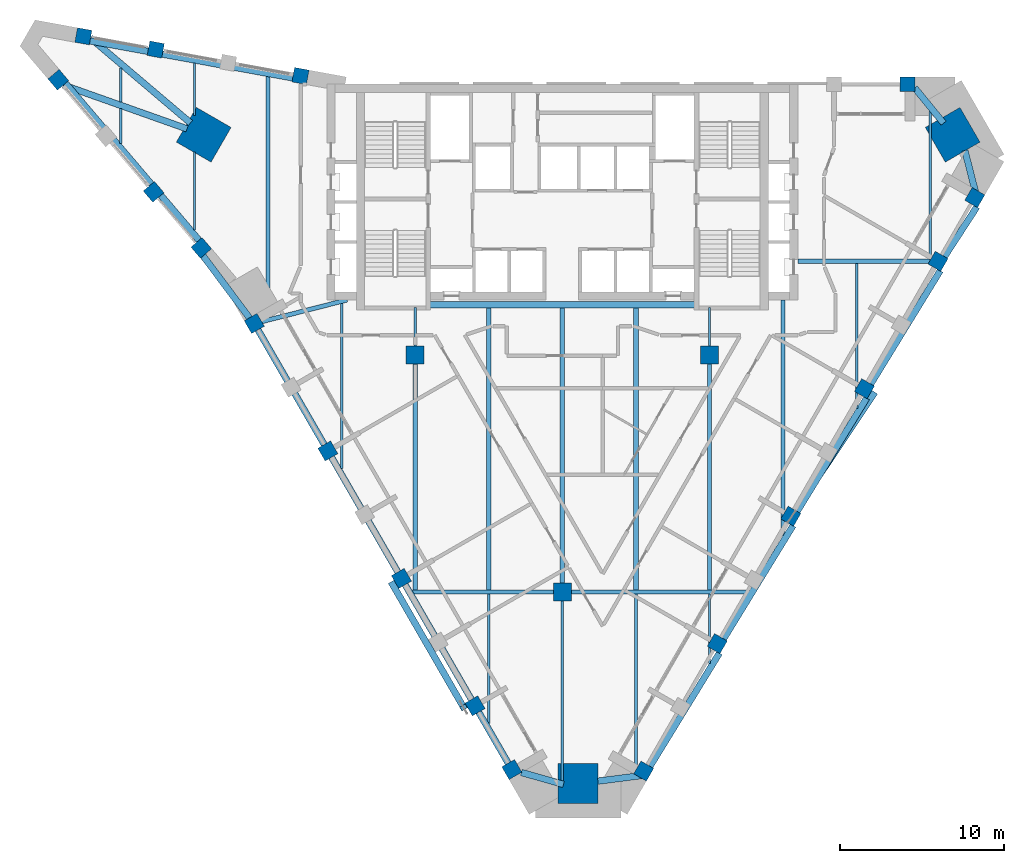
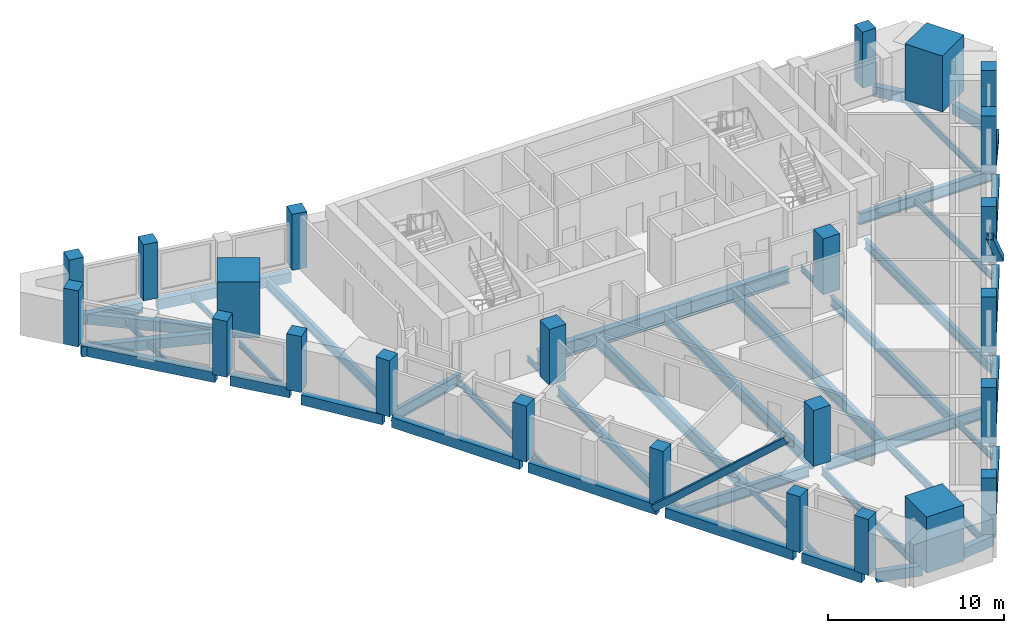
# One storey, part 1 of 9: 45 beams, 24 columns, 2 members.
"""IFC4 building model written with IfcOpenShell, lengths in metres."""

from ifc_helpers import new_model, si_unit, direction, frame, origin, origin_2d, place, context, subcontext, project, spatial, rectangle, hollow_rectangle, i_section, extrude, material, material_profile, profile_set, type_object, element, save


model = new_model("IFC4")

# Units and contexts
model_context = context("Model", 3, precision=1e-05, world=origin(), true_north=direction((0.0, 1.0)))
body_context = subcontext(model_context, "Body", "Model", "MODEL_VIEW")
ifc_project = project(units=[si_unit("LENGTHUNIT", "METRE"), si_unit("AREAUNIT", "SQUARE_METRE"), si_unit("VOLUMEUNIT", "CUBIC_METRE"), si_unit("PLANEANGLEUNIT", "RADIAN"), si_unit("MASSUNIT", "GRAM", prefix="KILO")], contexts=[model_context])

# Site, building, storey
site_placement = place(None, origin())
site = spatial("IfcSite", under=ifc_project, at=site_placement, CompositionType="ELEMENT")
building_placement = place(site_placement, origin())
building = spatial("IfcBuilding", under=site, at=building_placement, Name="Calabash Gate Tower", CompositionType="ELEMENT")
storey_placement = place(building_placement, frame((0.0, 0.0, 212.0)))
storey = spatial("IfcBuildingStorey", under=building, at=storey_placement, Name="L50", CompositionType="ELEMENT", Elevation=212.0)

# Columns
ifc_material_1 = material(Name="Concrete C60/75", Category="concrete")
ifc_material_profile_1 = material_profile(ifc_material_1, rectangle(XDim=1.10009765625, YDim=1.10009765625, at=origin_2d()))
ifc_profile_set_1 = profile_set([ifc_material_profile_1], Name="Concrete C60/75")
column_type_1 = type_object("IfcColumnType", Name="Interior column RC 1100x1100 Concrete C60/75", PredefinedType="COLUMN", material=ifc_profile_set_1)
for number, where, z_axis, x_axis, name in (
    (1, (-9.0, 2.5, 0.0), (0.0, 0.0, 1.0), (1.0, 0.0, 0.0), "Interior column L50 I0"),
    (2, (9.0, 2.5, 0.0), (0.0, 0.0, 1.0), (1.0, 0.0, 0.0), "Interior column L50 I1"),
    (3, (0.0, -12.0, 0.0), (0.0, 0.0, 1.0), (1.0, 0.0, 0.0), "Interior column L50 I2"),
):
    element("IfcColumn", number, at=place(storey_placement, frame(where, z_axis=z_axis, x_axis=x_axis)), inside=storey, type_object=column_type_1, Name=name, PredefinedType="COLUMN", context=body_context, shape_type="SweptSolid", body=[
        extrude(rectangle(XDim=1.10009765625, YDim=1.10009765625, at=origin_2d()), origin(), (0.0, 0.0, 1.0), 3.89990234375),
    ])
ifc_material_2 = material(Name="Concrete C70/85", Category="concrete")
ifc_material_profile_2 = material_profile(ifc_material_2, rectangle(XDim=2.449951171875, YDim=2.449951171875, at=origin_2d()))
ifc_profile_set_2 = profile_set([ifc_material_profile_2], Name="Concrete C70/85")
column_type_2 = type_object("IfcColumnType", Name="Mega column RC 2450x2450 Concrete C70/85", PredefinedType="COLUMN", material=ifc_profile_set_2)
for number, where, z_axis, x_axis, name in (
    (4, (-21.93310546875, 15.958984375, 0.0), (0.0, 0.0, 1.0), (0.866025386331, -0.50000003023, 0.0), "Mega column L50 NW"),
    (5, (23.868896484375, 15.958984375, 0.0), (0.0, 0.0, 1.0), (-0.866025386331, -0.50000003023, 0.0), "Mega column L50 NE"),
    (6, (0.968017578125, -23.70703125, 0.0), (0.0, 0.0, 1.0), (0.0, 1.0, 0.0), "Mega column L50 S"),
):
    element("IfcColumn", number, at=place(storey_placement, frame(where, z_axis=z_axis, x_axis=x_axis)), inside=storey, type_object=column_type_2, Name=name, PredefinedType="COLUMN", context=body_context, shape_type="SweptSolid", body=[
        extrude(rectangle(XDim=2.449951171875, YDim=2.449951171875, at=origin_2d()), origin(), (0.0, 0.0, 1.0), 3.89990234375),
    ])
ifc_material_3 = material(Name="Concrete C60/75", Category="concrete")
ifc_material_profile_3 = material_profile(ifc_material_3, rectangle(XDim=0.89990234375, YDim=0.89990234375, at=origin_2d()))
ifc_profile_set_3 = profile_set([ifc_material_profile_3], Name="Concrete C60/75")
column_type_3 = type_object("IfcColumnType", Name="Perimeter column RC 900x900 Concrete C60/75", PredefinedType="COLUMN", material=ifc_profile_set_3)
for number, where, z_axis, x_axis, name in (
    (7, (-18.840087890625, 4.4169921875, 0.0), (0.0, 0.0, 1.0), (0.499999984885, -0.866025412511, 0.0), "Perimeter column L50 P00"),
    (8, (-14.340087890625, -3.37890625, 0.0), (0.0, 0.0, 1.0), (0.499999984885, -0.866025412511, 0.0), "Perimeter column L50 P01"),
    (9, (-9.840087890625, -11.173095703125, 0.0), (0.0, 0.0, 1.0), (0.499999984885, -0.866025412511, 0.0), "Perimeter column L50 P02"),
    (10, (-5.340087890625, -18.967041015625, 0.0), (0.0, 0.0, 1.0), (0.499999984885, -0.866025412511, 0.0), "Perimeter column L50 P03"),
    (11, (-3.090087890625, -22.863037109375, 0.0), (0.0, 0.0, 1.0), (0.499999984885, -0.866025412511, 0.0), "Perimeter column L50 P25"),
    (12, (4.972900390625, -22.95703125, 0.0), (0.0, 0.0, 1.0), (0.5, 0.866025403784, 0.0), "Perimeter column L50 P08"),
    (13, (9.472900390625, -15.1630859375, 0.0), (0.0, 0.0, 1.0), (0.5, 0.866025403784, 0.0), "Perimeter column L50 P09"),
    (14, (13.972900390625, -7.368896484375, 0.0), (0.0, 0.0, 1.0), (0.5, 0.866025403784, 0.0), "Perimeter column L50 P10"),
    (15, (18.472900390625, 0.427001953125, 0.0), (0.0, 0.0, 1.0), (0.5, 0.866025403784, 0.0), "Perimeter column L50 P11"),
    (16, (22.972900390625, 8.218994140625, 0.0), (0.0, 0.0, 1.0), (0.5, 0.866025403784, 0.0), "Perimeter column L50 P12"),
    (17, (25.222900390625, 12.116943359375, 0.0), (0.0, 0.0, 1.0), (0.5, 0.866025403784, 0.0), "Perimeter column L50 P13"),
    (18, (21.111083984375, 19.052978515625, 0.0), (0.0, 0.0, 1.0), (-1.0, 0.0, 0.0), "Perimeter column L50 P24"),
    (19, (-16.012939453125, 19.551025390625, 0.0), (0.0, 0.0, 1.0), (-0.983669930074, 0.179981856499, 0.0), "Perimeter column L50 P31"),
    (20, (-24.865966796875, 21.1708984375, 0.0), (0.0, 0.0, 1.0), (-0.983669930074, 0.179981856499, 0.0), "Perimeter column L50 P32"),
    (21, (-29.29296875, 21.97998046875, 0.0), (0.0, 0.0, 1.0), (-0.983669930074, 0.179981856499, 0.0), "Perimeter column L50 P33"),
    (22, (-30.827880859375, 19.322021484375, 0.0), (0.0, 0.0, 1.0), (0.647703824985, -0.761892220133, 0.0), "Perimeter column L50 P34"),
    (23, (-24.998046875, 12.467041015625, 0.0), (0.0, 0.0, 1.0), (0.647703824985, -0.761892220133, 0.0), "Perimeter column L50 P20"),
    (24, (-22.083984375, 9.037109375, 0.0), (0.0, 0.0, 1.0), (0.647703824985, -0.761892220133, 0.0), "Perimeter column L50 P35"),
):
    element("IfcColumn", number, at=place(storey_placement, frame(where, z_axis=z_axis, x_axis=x_axis)), inside=storey, type_object=column_type_3, Name=name, PredefinedType="COLUMN", context=body_context, shape_type="SweptSolid", body=[
        extrude(rectangle(XDim=0.89990234375, YDim=0.89990234375, at=origin_2d()), origin(), (0.0, 0.0, 1.0), 3.89990234375),
    ])

# Beams
ifc_material_4 = material(Name="Concrete C50/60", Category="concrete")
ifc_material_profile_4 = material_profile(ifc_material_4, rectangle(XDim=0.39990234375, YDim=0.699951171875, at=origin_2d()))
ifc_profile_set_4 = profile_set([ifc_material_profile_4], Name="Concrete C50/60")
beam_type_1 = type_object("IfcBeamType", Name="Edge beam RC 400x700 Concrete C50/60", PredefinedType="BEAM", material=ifc_profile_set_4)
beam_1_placement = place(storey_placement, frame((-14.1279296875, -3.7470703125, -0.52001953125), z_axis=(0.500069781462, -0.86598511169, 0.0), x_axis=(0.86598511169, 0.500069781462, 0.0)))
element("IfcBeam", 25, at=beam_1_placement, inside=storey, type_object=beam_type_1, Name="Edge beam L50 1", PredefinedType="BEAM", context=body_context, shape_type="SweptSolid", body=[
    extrude(rectangle(XDim=0.39990234375, YDim=0.699951171875, at=origin_2d()), origin(), (0.0, 0.0, 1.0), 8.416748046875),
])
beam_2_placement = place(storey_placement, frame((-9.6279296875, -11.541015625, -0.52001953125), z_axis=(0.500006981563, -0.86602137294, 0.0), x_axis=(0.86602137294, 0.500006981563, 0.0)))
element("IfcBeam", 26, at=beam_2_placement, inside=storey, type_object=beam_type_1, Name="Edge beam L50 2", PredefinedType="BEAM", context=body_context, shape_type="SweptSolid", body=[
    extrude(rectangle(XDim=0.39990234375, YDim=0.699951171875, at=origin_2d()), origin(), (0.0, 0.0, 1.0), 8.41796875),
])
beam_3_placement = place(storey_placement, frame((-5.1279296875, -19.3330078125, -0.52001953125), z_axis=(0.499783563124, -0.866150327617, 0.0), x_axis=(0.866150327617, 0.499783563124, 0.0)))
element("IfcBeam", 27, at=beam_3_placement, inside=storey, type_object=beam_type_1, Name="Edge beam L50 3", PredefinedType="BEAM", context=body_context, shape_type="SweptSolid", body=[
    extrude(rectangle(XDim=0.39990234375, YDim=0.699951171875, at=origin_2d()), origin(), (0.0, 0.0, 1.0), 3.919677734375),
])
beam_4_placement = place(storey_placement, frame((-2.511962890625, -23.0390625, -0.52001953125), z_axis=(0.961954903089, -0.273208280299, 0.0), x_axis=(0.273208280299, 0.961954903089, 0.0)))
element("IfcBeam", 28, at=beam_4_placement, inside=storey, type_object=beam_type_1, Name="Edge beam L50 4", PredefinedType="BEAM", context=body_context, shape_type="SweptSolid", body=[
    extrude(rectangle(XDim=0.39990234375, YDim=0.699951171875, at=origin_2d()), origin(), (0.0, 0.0, 1.0), 2.686279296875),
])
beam_5_placement = place(storey_placement, frame((2.172119140625, -23.572998046875, -0.52001953125), z_axis=(0.991784485926, 0.127920027662, 0.0), x_axis=(-0.127920027662, 0.991784485926, 0.0)))
element("IfcBeam", 29, at=beam_5_placement, inside=storey, type_object=beam_type_1, Name="Edge beam L50 5", PredefinedType="BEAM", context=body_context, shape_type="SweptSolid", body=[
    extrude(rectangle(XDim=0.39990234375, YDim=0.699951171875, at=origin_2d()), origin(), (0.0, 0.0, 1.0), 2.86865234375),
])
beam_6_placement = place(storey_placement, frame((5.35009765625, -22.680908203125, -0.52001953125), z_axis=(0.522678714297, 0.852529742367, 0.0), x_axis=(-0.852529742367, 0.522678714297, 0.0)))
element("IfcBeam", 30, at=beam_6_placement, inside=storey, type_object=beam_type_1, Name="Edge beam L50 6", PredefinedType="BEAM", context=body_context, shape_type="SweptSolid", body=[
    extrude(rectangle(XDim=0.39990234375, YDim=0.699951171875, at=origin_2d()), origin(), (0.0, 0.0, 1.0), 8.146240234375),
])
for number, where, z_axis, x_axis, name in (
    (31, (9.85009765625, -14.886962890625, -0.52001953125), (0.522611947946, 0.85257067265, 0.0), (-0.85257067265, 0.522611947946, 0.0), "Edge beam L50 7"),
    (32, (14.35009765625, -7.093017578125, -0.52001953125), (0.522611947946, 0.85257067265, 0.0), (-0.85257067265, 0.522611947946, 0.0), "Edge beam L50 8"),
    (33, (18.85009765625, 0.700927734375, -0.52001953125), (0.522611947946, 0.85257067265, 0.0), (-0.85257067265, 0.522611947946, 0.0), "Edge beam L50 9"),
):
    element("IfcBeam", number, at=place(storey_placement, frame(where, z_axis=z_axis, x_axis=x_axis)), inside=storey, type_object=beam_type_1, Name=name, PredefinedType="BEAM", context=body_context, shape_type="SweptSolid", body=[
        extrude(rectangle(XDim=0.39990234375, YDim=0.699951171875, at=origin_2d()), origin(), (0.0, 0.0, 1.0), 8.147216796875),
    ])
beam_7_placement = place(storey_placement, frame((23.360107421875, 8.489990234375, -0.52001953125), z_axis=(0.544748454495, 0.838599499955, 0.0), x_axis=(-0.838599499955, 0.544748454495, 0.0)))
element("IfcBeam", 34, at=beam_7_placement, inside=storey, type_object=beam_type_1, Name="Edge beam L50 10", PredefinedType="BEAM", context=body_context, shape_type="SweptSolid", body=[
    extrude(rectangle(XDim=0.39990234375, YDim=0.699951171875, at=origin_2d()), origin(), (0.0, 0.0, 1.0), 3.64892578125),
])
beam_8_placement = place(storey_placement, frame((25.366943359375, 12.06396484375, -0.52001953125), z_axis=(-0.247878982629, 0.968791004279, 0.0), x_axis=(-0.968791004279, -0.247878982629, 0.0)))
element("IfcBeam", 35, at=beam_8_placement, inside=storey, type_object=beam_type_1, Name="Edge beam L50 11", PredefinedType="BEAM", context=body_context, shape_type="SweptSolid", body=[
    extrude(rectangle(XDim=0.39990234375, YDim=0.699951171875, at=origin_2d()), origin(), (0.0, 0.0, 1.0), 3.029541015625),
])
beam_9_placement = place(storey_placement, frame((23.31689453125, 16.6669921875, -0.52001953125), z_axis=(-0.633512825454, 0.7737321888, 0.0), x_axis=(-0.7737321888, -0.633512825454, 0.0)))
element("IfcBeam", 36, at=beam_9_placement, inside=storey, type_object=beam_type_1, Name="Edge beam L50 12", PredefinedType="BEAM", context=body_context, shape_type="SweptSolid", body=[
    extrude(rectangle(XDim=0.39990234375, YDim=0.699951171875, at=origin_2d()), origin(), (0.0, 0.0, 1.0), 2.80322265625),
])
beam_10_placement = place(storey_placement, frame((-16.491943359375, 19.43701171875, -0.52001953125), z_axis=(-0.983710376503, 0.179760660767, 0.0), x_axis=(-0.179760660767, -0.983710376503, 0.0)))
element("IfcBeam", 37, at=beam_10_placement, inside=storey, type_object=beam_type_1, Name="Edge beam L50 13", PredefinedType="BEAM", context=body_context, shape_type="SweptSolid", body=[
    extrude(rectangle(XDim=0.39990234375, YDim=0.699951171875, at=origin_2d()), origin(), (0.0, 0.0, 1.0), 8.099853515625),
])
beam_11_placement = place(storey_placement, frame((-25.343017578125, 21.056884765625, -0.52001953125), z_axis=(-0.983780846892, 0.179374594879, 0.0), x_axis=(-0.179374594879, -0.983780846892, 0.0)))
element("IfcBeam", 38, at=beam_11_placement, inside=storey, type_object=beam_type_1, Name="Edge beam L50 14", PredefinedType="BEAM", context=body_context, shape_type="SweptSolid", body=[
    extrude(rectangle(XDim=0.39990234375, YDim=0.699951171875, at=origin_2d()), origin(), (0.0, 0.0, 1.0), 3.601318359375),
])
beam_12_placement = place(storey_placement, frame((-28.8720703125, 21.885986328125, -0.52001953125), z_axis=(0.762422414558, -0.647079640987, 0.0), x_axis=(0.647079640987, 0.762422414558, 0.0)))
element("IfcBeam", 39, at=beam_12_placement, inside=storey, type_object=beam_type_1, Name="Edge beam L50 15", PredefinedType="BEAM", context=body_context, shape_type="SweptSolid", body=[
    extrude(rectangle(XDim=0.39990234375, YDim=0.699951171875, at=origin_2d()), origin(), (0.0, 0.0, 1.0), 8.0390625),
])
beam_13_placement = place(storey_placement, frame((-22.952880859375, 16.320068359375, -0.52001953125), z_axis=(-0.942585027274, 0.333966265299, 0.0), x_axis=(-0.333966265299, -0.942585027274, 0.0)))
element("IfcBeam", 40, at=beam_13_placement, inside=storey, type_object=beam_type_1, Name="Edge beam L50 16", PredefinedType="BEAM", context=body_context, shape_type="SweptSolid", body=[
    extrude(rectangle(XDim=0.39990234375, YDim=0.699951171875, at=origin_2d()), origin(), (0.0, 0.0, 1.0), 8.042724609375),
])
beam_14_placement = place(storey_placement, frame((-30.384033203125, 19.10888671875, -0.52001953125), z_axis=(0.647777896435, -0.761829243919, 0.0), x_axis=(0.761829243919, 0.647777896435, 0.0)))
element("IfcBeam", 41, at=beam_14_placement, inside=storey, type_object=beam_type_1, Name="Edge beam L50 17", PredefinedType="BEAM", context=body_context, shape_type="SweptSolid", body=[
    extrude(rectangle(XDim=0.39990234375, YDim=0.699951171875, at=origin_2d()), origin(), (0.0, 0.0, 1.0), 8.10009765625),
])
beam_15_placement = place(storey_placement, frame((-24.553955078125, 12.251953125, -0.52001953125), z_axis=(0.647579511056, -0.761997885076, 0.0), x_axis=(0.761997885076, 0.647579511056, 0.0)))
element("IfcBeam", 42, at=beam_15_placement, inside=storey, type_object=beam_type_1, Name="Edge beam L50 18", PredefinedType="BEAM", context=body_context, shape_type="SweptSolid", body=[
    extrude(rectangle(XDim=0.39990234375, YDim=0.699951171875, at=origin_2d()), origin(), (0.0, 0.0, 1.0), 3.599609375),
])
beam_16_placement = place(storey_placement, frame((-21.97900390625, 8.56396484375, -0.52001953125), z_axis=(0.598719792609, -0.800958556941, 0.0), x_axis=(0.800958556941, 0.598719792609, 0.0)))
element("IfcBeam", 43, at=beam_16_placement, inside=storey, type_object=beam_type_1, Name="Edge beam L50 19", PredefinedType="BEAM", context=body_context, shape_type="SweptSolid", body=[
    extrude(rectangle(XDim=0.39990234375, YDim=0.699951171875, at=origin_2d()), origin(), (0.0, 0.0, 1.0), 5.03759765625),
])
beam_17_placement = place(storey_placement, frame((-18.6279296875, 4.047119140625, -0.52001953125), z_axis=(0.50005722043, -0.865992365033, 0.0), x_axis=(0.865992365033, 0.50005722043, 0.0)))
element("IfcBeam", 44, at=beam_17_placement, inside=storey, type_object=beam_type_1, Name="Edge beam L50 20", PredefinedType="BEAM", context=body_context, shape_type="SweptSolid", body=[
    extrude(rectangle(XDim=0.39990234375, YDim=0.699951171875, at=origin_2d()), origin(), (0.0, 0.0, 1.0), 8.4169921875),
])
ifc_material_5 = material(Name="Steel ASTM A992 Gr50", Category="steel")
ifc_material_profile_5 = material_profile(ifc_material_5, i_section(OverallWidth=0.1396484375, OverallDepth=0.398681640625, WebThickness=0.00634765625, FlangeThickness=0.0087890625, FilletRadius=0.01025390625, at=origin_2d()))
ifc_profile_set_5 = profile_set([ifc_material_profile_5], Name="Steel ASTM A992 Gr50")
beam_type_2 = type_object("IfcBeamType", Name="Floor beam W16x26 ASTM A992 Gr50", PredefinedType="BEAM", material=ifc_profile_set_5)
beam_18_placement = place(storey_placement, frame((-27.0, 15.416015625, -0.368896484375), z_axis=(0.0, 1.0, 0.0), x_axis=(-1.0, 0.0, 0.0)))
element("IfcBeam", 45, at=beam_18_placement, inside=storey, type_object=beam_type_2, Name="Floor beam L50 1", PredefinedType="BEAM", context=body_context, shape_type="SweptSolid", body=[
    extrude(i_section(OverallWidth=0.1396484375, OverallDepth=0.398681640625, WebThickness=0.00634765625, FlangeThickness=0.0087890625, FilletRadius=0.01025390625, at=origin_2d()), origin(), (0.0, 0.0, 1.0), 2.136962890625),
])
beam_19_placement = place(storey_placement, frame((-27.0, 17.9541015625, -0.368896484375), z_axis=(0.0, 1.0, 0.0), x_axis=(-1.0, 0.0, 0.0)))
element("IfcBeam", 46, at=beam_19_placement, inside=storey, type_object=beam_type_2, Name="Floor beam L50 2", PredefinedType="BEAM", context=body_context, shape_type="SweptSolid", body=[
    extrude(i_section(OverallWidth=0.1396484375, OverallDepth=0.398681640625, WebThickness=0.00634765625, FlangeThickness=0.0087890625, FilletRadius=0.01025390625, at=origin_2d()), origin(), (0.0, 0.0, 1.0), 2.101806640625),
])
beam_20_placement = place(storey_placement, frame((-22.5, 10.1220703125, -0.368896484375), z_axis=(0.0, 1.0, 0.0), x_axis=(-1.0, 0.0, 0.0)))
element("IfcBeam", 47, at=beam_20_placement, inside=storey, type_object=beam_type_2, Name="Floor beam L50 3", PredefinedType="BEAM", context=body_context, shape_type="SweptSolid", body=[
    extrude(i_section(OverallWidth=0.1396484375, OverallDepth=0.398681640625, WebThickness=0.00634765625, FlangeThickness=0.0087890625, FilletRadius=0.01025390625, at=origin_2d()), origin(), (0.0, 0.0, 1.0), 4.77490234375),
])
beam_21_placement = place(storey_placement, frame((-22.5, 17.14697265625, -0.368896484375), z_axis=(0.0, 1.0, 0.0), x_axis=(-1.0, 0.0, 0.0)))
element("IfcBeam", 48, at=beam_21_placement, inside=storey, type_object=beam_type_2, Name="Floor beam L50 4", PredefinedType="BEAM", context=body_context, shape_type="SweptSolid", body=[
    extrude(i_section(OverallWidth=0.1396484375, OverallDepth=0.398681640625, WebThickness=0.00634765625, FlangeThickness=0.0087890625, FilletRadius=0.01025390625, at=origin_2d()), origin(), (0.0, 0.0, 1.0), 3.216064453125),
])
beam_22_placement = place(storey_placement, frame((-9.0, 3.050048828125, -0.368896484375), z_axis=(0.0, 1.0, 0.0), x_axis=(-1.0, 0.0, 0.0)))
element("IfcBeam", 49, at=beam_22_placement, inside=storey, type_object=beam_type_2, Name="Floor beam L50 8", PredefinedType="BEAM", context=body_context, shape_type="SweptSolid", body=[
    extrude(i_section(OverallWidth=0.1396484375, OverallDepth=0.398681640625, WebThickness=0.00634765625, FlangeThickness=0.0087890625, FilletRadius=0.01025390625, at=origin_2d()), origin(), (0.0, 0.0, 1.0), 2.35302734375),
])
beam_23_placement = place(storey_placement, frame((-4.5, -20.033935546875, -0.368896484375), z_axis=(0.0, 1.0, 0.0), x_axis=(-1.0, 0.0, 0.0)))
element("IfcBeam", 50, at=beam_23_placement, inside=storey, type_object=beam_type_2, Name="Floor beam L50 9", PredefinedType="BEAM", context=body_context, shape_type="SweptSolid", body=[
    extrude(i_section(OverallWidth=0.1396484375, OverallDepth=0.398681640625, WebThickness=0.00634765625, FlangeThickness=0.0087890625, FilletRadius=0.01025390625, at=origin_2d()), origin(), (0.0, 0.0, 1.0), 7.90087890625),
])
beam_24_placement = place(storey_placement, frame((9.0, -16.3740234375, -0.368896484375), z_axis=(0.0, 1.0, 0.0), x_axis=(-1.0, 0.0, 0.0)))
element("IfcBeam", 51, at=beam_24_placement, inside=storey, type_object=beam_type_2, Name="Floor beam L50 15", PredefinedType="BEAM", context=body_context, shape_type="SweptSolid", body=[
    extrude(i_section(OverallWidth=0.1396484375, OverallDepth=0.398681640625, WebThickness=0.00634765625, FlangeThickness=0.0087890625, FilletRadius=0.01025390625, at=origin_2d()), origin(), (0.0, 0.0, 1.0), 4.240966796875),
])
beam_25_placement = place(storey_placement, frame((9.0, 3.050048828125, -0.368896484375), z_axis=(0.0, 1.0, 0.0), x_axis=(-1.0, 0.0, 0.0)))
element("IfcBeam", 52, at=beam_25_placement, inside=storey, type_object=beam_type_2, Name="Floor beam L50 17", PredefinedType="BEAM", context=body_context, shape_type="SweptSolid", body=[
    extrude(i_section(OverallWidth=0.1396484375, OverallDepth=0.398681640625, WebThickness=0.00634765625, FlangeThickness=0.0087890625, FilletRadius=0.01025390625, at=origin_2d()), origin(), (0.0, 0.0, 1.0), 2.35302734375),
])
ifc_material_6 = material(Name="Steel ASTM A992 Gr50", Category="steel")
ifc_material_profile_6 = material_profile(ifc_material_6, i_section(OverallWidth=0.15234375, OverallDepth=0.44970703125, WebThickness=0.007568359375, FlangeThickness=0.0107421875, FilletRadius=0.01025390625, at=origin_2d()))
ifc_profile_set_6 = profile_set([ifc_material_profile_6], Name="Steel ASTM A992 Gr50")
beam_type_3 = type_object("IfcBeamType", Name="Floor beam W18x35 ASTM A992 Gr50", PredefinedType="BEAM", material=ifc_profile_set_6)
beam_26_placement = place(storey_placement, frame((18.0, -0.782958984375, -0.39306640625), z_axis=(0.0, 1.0, 0.0), x_axis=(-1.0, 0.0, 0.0)))
element("IfcBeam", 53, at=beam_26_placement, inside=storey, type_object=beam_type_3, Name="Floor beam L50 19", PredefinedType="BEAM", context=body_context, shape_type="SweptSolid", body=[
    extrude(i_section(OverallWidth=0.15234375, OverallDepth=0.44970703125, WebThickness=0.007568359375, FlangeThickness=0.0107421875, FilletRadius=0.01025390625, at=origin_2d()), origin(), (0.0, 0.0, 1.0), 8.868896484375),
])
beam_27_placement = place(storey_placement, frame((22.5, 8.321044921875, -0.39306640625), z_axis=(0.0, 1.0, 0.0), x_axis=(-1.0, 0.0, 0.0)))
element("IfcBeam", 54, at=beam_27_placement, inside=storey, type_object=beam_type_3, Name="Floor beam L50 20", PredefinedType="BEAM", context=body_context, shape_type="SweptSolid", body=[
    extrude(i_section(OverallWidth=0.15234375, OverallDepth=0.44970703125, WebThickness=0.007568359375, FlangeThickness=0.0107421875, FilletRadius=0.01025390625, at=origin_2d()), origin(), (0.0, 0.0, 1.0), 9.052001953125),
])
ifc_material_7 = material(Name="Steel ASTM A992 Gr50", Category="steel")
ifc_material_profile_7 = material_profile(ifc_material_7, i_section(OverallWidth=0.166015625, OverallDepth=0.5283203125, WebThickness=0.009765625, FlangeThickness=0.013671875, FilletRadius=0.0126953125, at=origin_2d()))
ifc_profile_set_7 = profile_set([ifc_material_profile_7], Name="Steel ASTM A992 Gr50")
beam_type_4 = type_object("IfcBeamType", Name="Floor beam W21x50 ASTM A992 Gr50", PredefinedType="BEAM", material=ifc_profile_set_7)
beam_28_placement = place(storey_placement, frame((-13.5, -4.446044921875, -0.43408203125), z_axis=(0.0, 1.0, 0.0), x_axis=(-1.0, 0.0, 0.0)))
element("IfcBeam", 55, at=beam_28_placement, inside=storey, type_object=beam_type_4, Name="Floor beam L50 6", PredefinedType="BEAM", context=body_context, shape_type="SweptSolid", body=[
    extrude(i_section(OverallWidth=0.166015625, OverallDepth=0.5283203125, WebThickness=0.009765625, FlangeThickness=0.013671875, FilletRadius=0.0126953125, at=origin_2d()), origin(), (0.0, 0.0, 1.0), 10.10205078125),
])
beam_29_placement = place(storey_placement, frame((0.0, -23.573974609375, -0.43408203125), z_axis=(0.0, 1.0, 0.0), x_axis=(-1.0, 0.0, 0.0)))
element("IfcBeam", 56, at=beam_29_placement, inside=storey, type_object=beam_type_4, Name="Floor beam L50 11", PredefinedType="BEAM", context=body_context, shape_type="SweptSolid", body=[
    extrude(i_section(OverallWidth=0.166015625, OverallDepth=0.5283203125, WebThickness=0.009765625, FlangeThickness=0.013671875, FilletRadius=0.0126953125, at=origin_2d()), origin(), (0.0, 0.0, 1.0), 11.02392578125),
])
beam_30_placement = place(storey_placement, frame((4.5, -23.087890625, -0.43408203125), z_axis=(0.0, 1.0, 0.0), x_axis=(-1.0, 0.0, 0.0)))
element("IfcBeam", 57, at=beam_30_placement, inside=storey, type_object=beam_type_4, Name="Floor beam L50 13", PredefinedType="BEAM", context=body_context, shape_type="SweptSolid", body=[
    extrude(i_section(OverallWidth=0.166015625, OverallDepth=0.5283203125, WebThickness=0.009765625, FlangeThickness=0.013671875, FilletRadius=0.0126953125, at=origin_2d()), origin(), (0.0, 0.0, 1.0), 10.954833984375),
])
ifc_material_8 = material(Name="Steel ASTM A992 Gr50", Category="steel")
ifc_material_profile_8 = material_profile(ifc_material_8, i_section(OverallWidth=0.25390625, OverallDepth=0.67822265625, WebThickness=0.01171875, FlangeThickness=0.016357421875, FilletRadius=0.01513671875, at=origin_2d()))
ifc_profile_set_8 = profile_set([ifc_material_profile_8], Name="Steel ASTM A992 Gr50")
beam_type_5 = type_object("IfcBeamType", Name="Floor beam W27x84 ASTM A992 Gr50", PredefinedType="BEAM", material=ifc_profile_set_8)
beam_31_placement = place(storey_placement, frame((-18.0, 4.743896484375, -0.509033203125), z_axis=(0.0, 1.0, 0.0), x_axis=(-1.0, 0.0, 0.0)))
element("IfcBeam", 58, at=beam_31_placement, inside=storey, type_object=beam_type_5, Name="Floor beam L50 5", PredefinedType="BEAM", context=body_context, shape_type="SweptSolid", body=[
    extrude(i_section(OverallWidth=0.25390625, OverallDepth=0.67822265625, WebThickness=0.01171875, FlangeThickness=0.016357421875, FilletRadius=0.01513671875, at=origin_2d()), origin(), (0.0, 0.0, 1.0), 14.796142578125),
])
beam_32_placement = place(storey_placement, frame((-9.0, -11.8798828125, -0.509033203125), z_axis=(0.0, 1.0, 0.0), x_axis=(-1.0, 0.0, 0.0)))
element("IfcBeam", 59, at=beam_32_placement, inside=storey, type_object=beam_type_5, Name="Floor beam L50 7", PredefinedType="BEAM", context=body_context, shape_type="SweptSolid", body=[
    extrude(i_section(OverallWidth=0.25390625, OverallDepth=0.67822265625, WebThickness=0.01171875, FlangeThickness=0.016357421875, FilletRadius=0.01513671875, at=origin_2d()), origin(), (0.0, 0.0, 1.0), 13.829833984375),
])
beam_33_placement = place(storey_placement, frame((9.0, -11.866943359375, -0.509033203125), z_axis=(0.0, 1.0, 0.0), x_axis=(-1.0, 0.0, 0.0)))
element("IfcBeam", 60, at=beam_33_placement, inside=storey, type_object=beam_type_5, Name="Floor beam L50 16", PredefinedType="BEAM", context=body_context, shape_type="SweptSolid", body=[
    extrude(i_section(OverallWidth=0.25390625, OverallDepth=0.67822265625, WebThickness=0.01171875, FlangeThickness=0.016357421875, FilletRadius=0.01513671875, at=origin_2d()), origin(), (0.0, 0.0, 1.0), 13.81689453125),
])
beam_34_placement = place(storey_placement, frame((13.5, -8.580078125, -0.509033203125), z_axis=(0.0, 1.0, 0.0), x_axis=(-1.0, 0.0, 0.0)))
element("IfcBeam", 61, at=beam_34_placement, inside=storey, type_object=beam_type_5, Name="Floor beam L50 18", PredefinedType="BEAM", context=body_context, shape_type="SweptSolid", body=[
    extrude(i_section(OverallWidth=0.25390625, OverallDepth=0.67822265625, WebThickness=0.01171875, FlangeThickness=0.016357421875, FilletRadius=0.01513671875, at=origin_2d()), origin(), (0.0, 0.0, 1.0), 14.43310546875),
])
ifc_material_9 = material(Name="Steel ASTM A992 Gr50", Category="steel")
ifc_material_profile_9 = material_profile(ifc_material_9, i_section(OverallWidth=0.2919921875, OverallDepth=0.845703125, WebThickness=0.015380859375, FlangeThickness=0.0244140625, FilletRadius=0.017822265625, at=origin_2d()))
ifc_profile_set_9 = profile_set([ifc_material_profile_9], Name="Steel ASTM A992 Gr50")
beam_type_6 = type_object("IfcBeamType", Name="Floor beam W33x141 ASTM A992 Gr50", PredefinedType="BEAM", material=ifc_profile_set_9)
beam_35_placement = place(storey_placement, frame((-4.5, -11.866943359375, -0.593017578125), z_axis=(0.0, 1.0, 0.0), x_axis=(-1.0, 0.0, 0.0)))
element("IfcBeam", 62, at=beam_35_placement, inside=storey, type_object=beam_type_6, Name="Floor beam L50 10", PredefinedType="BEAM", context=body_context, shape_type="SweptSolid", body=[
    extrude(i_section(OverallWidth=0.2919921875, OverallDepth=0.845703125, WebThickness=0.015380859375, FlangeThickness=0.0244140625, FilletRadius=0.017822265625, at=origin_2d()), origin(), (0.0, 0.0, 1.0), 17.218994140625),
])
beam_36_placement = place(storey_placement, frame((0.0, -11.449951171875, -0.593017578125), z_axis=(0.0, 1.0, 0.0), x_axis=(-1.0, 0.0, 0.0)))
element("IfcBeam", 63, at=beam_36_placement, inside=storey, type_object=beam_type_6, Name="Floor beam L50 12", PredefinedType="BEAM", context=body_context, shape_type="SweptSolid", body=[
    extrude(i_section(OverallWidth=0.2919921875, OverallDepth=0.845703125, WebThickness=0.015380859375, FlangeThickness=0.0244140625, FilletRadius=0.017822265625, at=origin_2d()), origin(), (0.0, 0.0, 1.0), 16.802001953125),
])
beam_37_placement = place(storey_placement, frame((4.5, -11.866943359375, -0.593017578125), z_axis=(0.0, 1.0, 0.0), x_axis=(-1.0, 0.0, 0.0)))
element("IfcBeam", 64, at=beam_37_placement, inside=storey, type_object=beam_type_6, Name="Floor beam L50 14", PredefinedType="BEAM", context=body_context, shape_type="SweptSolid", body=[
    extrude(i_section(OverallWidth=0.2919921875, OverallDepth=0.845703125, WebThickness=0.015380859375, FlangeThickness=0.0244140625, FilletRadius=0.017822265625, at=origin_2d()), origin(), (0.0, 0.0, 1.0), 17.218994140625),
])
ifc_material_10 = material(Name="Steel ASTM A992 Gr50", Category="steel")
ifc_material_profile_10 = material_profile(ifc_material_10, i_section(OverallWidth=0.2666015625, OverallDepth=0.77978515625, WebThickness=0.0166015625, FlangeThickness=0.030029296875, FilletRadius=0.0166015625, at=origin_2d()))
ifc_profile_set_10 = profile_set([ifc_material_profile_10], Name="Steel ASTM A992 Gr50")
beam_type_7 = type_object("IfcBeamType", Name="Girder W30x148 ASTM A992 Gr50", PredefinedType="BEAM", material=ifc_profile_set_10)
beam_38_placement = place(storey_placement, frame((-18.41796875, 4.52197265625, -0.56005859375), z_axis=(0.969206223725, 0.246250473893, 0.0), x_axis=(-0.246250473893, 0.969206223725, 0.0)))
element("IfcBeam", 65, at=beam_38_placement, inside=storey, type_object=beam_type_7, Name="Girder L50 2", PredefinedType="BEAM", context=body_context, shape_type="SweptSolid", body=[
    extrude(i_section(OverallWidth=0.2666015625, OverallDepth=0.77978515625, WebThickness=0.0166015625, FlangeThickness=0.030029296875, FilletRadius=0.0166015625, at=origin_2d()), origin(), (0.0, 0.0, 1.0), 5.425048828125),
])
beam_39_placement = place(storey_placement, frame((23.156982421875, 8.218994140625, -0.56005859375), z_axis=(-1.0, 0.0, 0.0), x_axis=(0.0, -1.0, 0.0)))
element("IfcBeam", 66, at=beam_39_placement, inside=storey, type_object=beam_type_7, Name="Girder L50 3", PredefinedType="BEAM", context=body_context, shape_type="SweptSolid", body=[
    extrude(i_section(OverallWidth=0.2666015625, OverallDepth=0.77978515625, WebThickness=0.0166015625, FlangeThickness=0.030029296875, FilletRadius=0.0166015625, at=origin_2d()), origin(), (0.0, 0.0, 1.0), 8.757080078125),
])
beam_40_placement = place(storey_placement, frame((-9.153076171875, -12.0, -0.56005859375), z_axis=(1.0, 0.0, 0.0), x_axis=(0.0, 1.0, 0.0)))
element("IfcBeam", 67, at=beam_40_placement, inside=storey, type_object=beam_type_7, Name="Girder L50 4", PredefinedType="BEAM", context=body_context, shape_type="SweptSolid", body=[
    extrude(i_section(OverallWidth=0.2666015625, OverallDepth=0.77978515625, WebThickness=0.0166015625, FlangeThickness=0.030029296875, FilletRadius=0.0166015625, at=origin_2d()), origin(), (0.0, 0.0, 1.0), 8.60302734375),
])
beam_41_placement = place(storey_placement, frame((0.550048828125, -12.0, -0.56005859375), z_axis=(1.0, 0.0, 0.0), x_axis=(0.0, 1.0, 0.0)))
element("IfcBeam", 68, at=beam_41_placement, inside=storey, type_object=beam_type_7, Name="Girder L50 5", PredefinedType="BEAM", context=body_context, shape_type="SweptSolid", body=[
    extrude(i_section(OverallWidth=0.2666015625, OverallDepth=0.77978515625, WebThickness=0.0166015625, FlangeThickness=0.030029296875, FilletRadius=0.0166015625, at=origin_2d()), origin(), (0.0, 0.0, 1.0), 10.85888671875),
])
ifc_material_11 = material(Name="Steel ASTM A992 Gr50", Category="steel")
ifc_material_profile_11 = material_profile(ifc_material_11, i_section(OverallWidth=0.4013671875, OverallDepth=1.000732421875, WebThickness=0.01904296875, FlangeThickness=0.0361328125, FilletRadius=0.030029296875, at=origin_2d()))
ifc_profile_set_11 = profile_set([ifc_material_profile_11], Name="Steel ASTM A992 Gr50")
beam_type_8 = type_object("IfcBeamType", Name="Girder W40x249 ASTM A992 Gr50", PredefinedType="BEAM", material=ifc_profile_set_11)
beam_42_placement = place(storey_placement, frame((-8.25, 5.552978515625, -0.669921875), z_axis=(1.0, 0.0, 0.0), x_axis=(0.0, 1.0, 0.0)))
element("IfcBeam", 69, at=beam_42_placement, inside=storey, type_object=beam_type_8, Name="Girder L50 1", PredefinedType="BEAM", context=body_context, shape_type="SweptSolid", body=[
    extrude(i_section(OverallWidth=0.4013671875, OverallDepth=1.000732421875, WebThickness=0.01904296875, FlangeThickness=0.0361328125, FilletRadius=0.030029296875, at=origin_2d()), origin(), (0.0, 0.0, 1.0), 16.5),
])

# Members
ifc_material_12 = material(Name="Steel ASTM A500 Gr C", Category="steel")
ifc_material_profile_12 = material_profile(ifc_material_12, hollow_rectangle(XDim=0.406494140625, YDim=0.406494140625, WallThickness=0.015869140625, at=origin_2d()))
ifc_profile_set_12 = profile_set([ifc_material_profile_12], Name="Steel ASTM A500 Gr C")
member_type = type_object("IfcMemberType", Name="Mega-brace HSS16X16X.625 ASTM A500 Gr C", PredefinedType="BRACE", material=ifc_profile_set_12)
member_1_placement = place(storey_placement, frame((-10.40576171875, -11.499755859375, 0.0), z_axis=(0.372902878333, -0.64591323835, 0.666137772428), x_axis=(0.86603428866, 0.499984610629, 0.0)))
element("IfcMember", 70, at=member_1_placement, inside=storey, type_object=member_type, Name="Mega-brace SW Z4 30", PredefinedType="BRACE", context=body_context, shape_type="SweptSolid", body=[
    extrude(hollow_rectangle(XDim=0.406494140625, YDim=0.406494140625, WallThickness=0.015869140625, at=origin_2d()), origin(), (0.0, 0.0, 1.0), 11.70947265625),
])
member_2_placement = place(storey_placement, frame((19.038330078125, 0.0986328125, 0.0), z_axis=(-0.420432976867, -0.628776097033, 0.654122872068), x_axis=(0.83128743889, -0.55584277808, 0.0)))
element("IfcMember", 71, at=member_2_placement, inside=storey, type_object=member_type, Name="Mega-brace SE Z4 34", PredefinedType="BRACE", context=body_context, shape_type="SweptSolid", body=[
    extrude(hollow_rectangle(XDim=0.406494140625, YDim=0.406494140625, WallThickness=0.015869140625, at=origin_2d()), origin(), (0.0, 0.0, 1.0), 11.924560546875),
])

save(model, "model.ifc")
